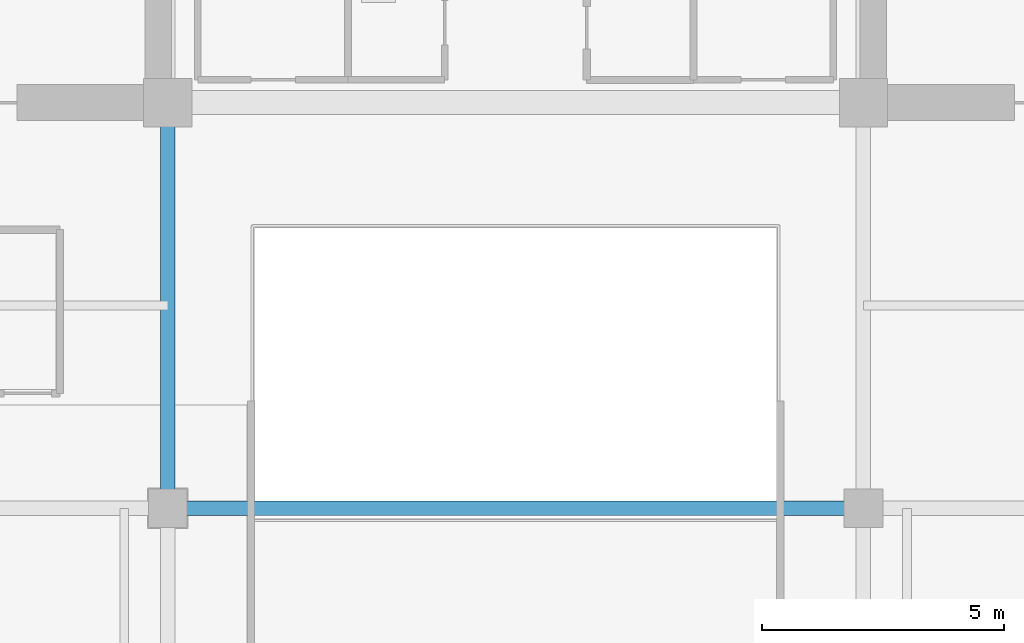
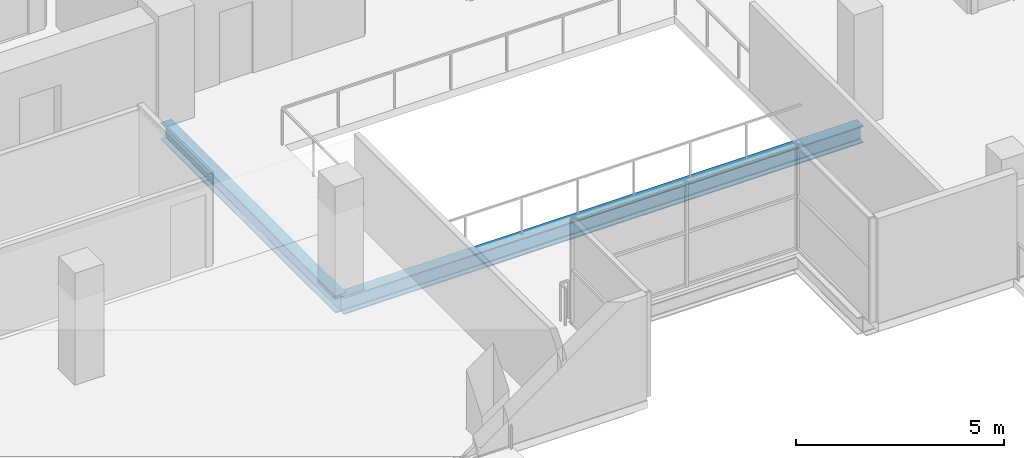
# One storey, part 4 of 22: 2 beams.
"""IFC4 building model written with IfcOpenShell, lengths in metres."""

from ifc_helpers import new_model, si_unit, direction, frame, origin, origin_2d, place, context, subcontext, project, spatial, i_section, extrude, material, material_profile, profile_set, type_object, element, save


model = new_model("IFC4")

# Units and contexts
model_context = context("Model", 3, precision=1e-05, world=origin(), true_north=direction((0.0, 1.0)))
body_context = subcontext(model_context, "Body", "Model", "MODEL_VIEW")
ifc_project = project(units=[si_unit("LENGTHUNIT", "METRE"), si_unit("AREAUNIT", "SQUARE_METRE"), si_unit("VOLUMEUNIT", "CUBIC_METRE"), si_unit("PLANEANGLEUNIT", "RADIAN"), si_unit("MASSUNIT", "GRAM", prefix="KILO")], contexts=[model_context])

# Site, building, storey
site_placement = place(None, origin())
site = spatial("IfcSite", under=ifc_project, at=site_placement, CompositionType="ELEMENT")
building_placement = place(site_placement, origin())
building = spatial("IfcBuilding", under=site, at=building_placement, Name="Zarnakvel Exchange Tower", CompositionType="ELEMENT")
storey_placement = place(building_placement, frame((0.0, 0.0, 192.39990234375)))
storey = spatial("IfcBuildingStorey", under=building, at=storey_placement, Name="L54", CompositionType="ELEMENT", Elevation=192.39990234375)

# Beams
ifc_material = material(Name="Steel S355", Category="steel")
ifc_material_profile = material_profile(ifc_material, i_section(OverallWidth=0.300048828125, OverallDepth=0.5, WebThickness=0.014404296875, FlangeThickness=0.028076171875, FilletRadius=0.027099609375, at=origin_2d()))
ifc_profile_set = profile_set([ifc_material_profile], Name="Steel S355")
beam_type = type_object("IfcBeamType", Name="G-06", PredefinedType="BEAM", material=ifc_profile_set)
beam_1_placement = place(storey_placement, frame((-7.199951171875, -9.60009765625, -0.474853515625), z_axis=(1.0, 0.0, 0.0), x_axis=(0.0, 1.0, 0.0)))
element("IfcBeam", 1, at=beam_1_placement, inside=storey, type_object=beam_type, Name="L54 Tower E-W Frame Beam", PredefinedType="BEAM", context=body_context, shape_type="SweptSolid", body=[
    extrude(i_section(OverallWidth=0.300048828125, OverallDepth=0.5, WebThickness=0.014404296875, FlangeThickness=0.028076171875, FilletRadius=0.027099609375, at=origin_2d()), origin(), (0.0, 0.0, 1.0), 14.39990234375),
])
beam_2_placement = place(storey_placement, frame((-7.199951171875, -9.60009765625, -0.474853515625), z_axis=(0.0, 1.0, 0.0), x_axis=(-1.0, 0.0, 0.0)))
element("IfcBeam", 2, at=beam_2_placement, inside=storey, type_object=beam_type, Name="L54 Tower N-S Frame Beam", PredefinedType="BEAM", context=body_context, shape_type="SweptSolid", body=[
    extrude(i_section(OverallWidth=0.300048828125, OverallDepth=0.5, WebThickness=0.014404296875, FlangeThickness=0.028076171875, FilletRadius=0.027099609375, at=origin_2d()), origin(), (0.0, 0.0, 1.0), 8.400146484375),
])

save(model, "model.ifc")
